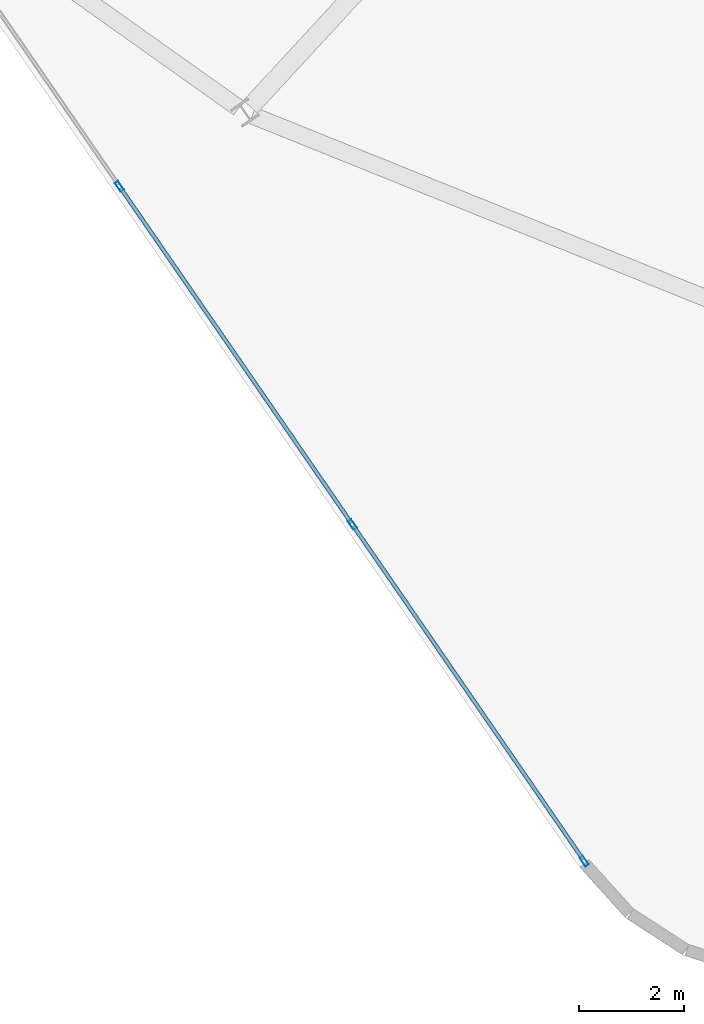
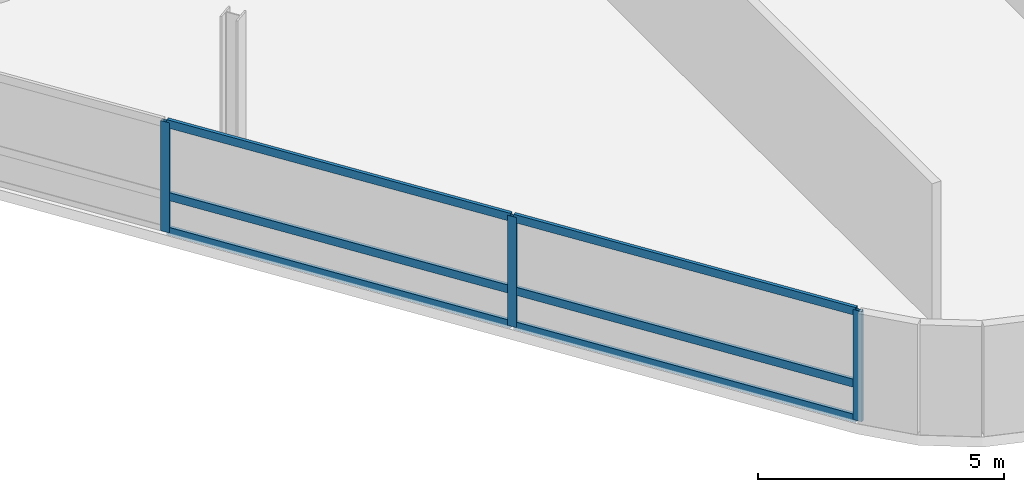
# One storey, part 3 of 21: 9 members, 1 element without a shape of its own.
"""IFC4 building model written with IfcOpenShell, lengths in metres."""

import ifcopenshell
import ifcopenshell.guid

model = None  # the IFC model being written
_history = None  # IfcOwnerHistory: only IFC2X3 demands one
_inside = {}  # id of a spatial element -> (the spatial element, [elements in it])
_under = {}  # id of a project, library or spatial element -> (it, [spatial elements below it])
_declared = {}  # id of a project -> (the project, [libraries it declares])
_typed = {}  # id of a type object -> (the type object, [elements of that type])
_made_of = {}  # id of a material, layer set ... -> (it, [elements and type objects made of it])


def new_model(schema):
    """Start an empty IFC model of exactly this schema.

    Asked for "IFC4X3", IfcOpenShell would pick the latest addendum, in which some entities
    have other attributes; the version numbers below select the first issue.
    IFC2X3 requires an IfcOwnerHistory on every rooted entity: one is made here for all.
    """
    global model, _history
    if schema == "IFC4X3":
        model = ifcopenshell.file(schema_version=(4, 3, 0, 0))
    else:
        model = ifcopenshell.file(schema=schema)
    _inside.clear()
    _under.clear()
    _declared.clear()
    _typed.clear()
    _made_of.clear()
    _history = None
    if model.schema == "IFC2X3":
        org = make("IfcOrganization", Name="unknown")
        user = make(
            "IfcPersonAndOrganization",
            ThePerson=make("IfcPerson", FamilyName="unknown"),
            TheOrganization=org,
        )
        app = make(
            "IfcApplication",
            ApplicationDeveloper=org,
            Version="unknown",
            ApplicationFullName="unknown",
            ApplicationIdentifier="unknown",
        )
        _history = make(
            "IfcOwnerHistory",
            OwningUser=user,
            OwningApplication=app,
            ChangeAction="ADDED",
            CreationDate=0,
        )
    return model


def make(cls, **values):
    """One entity of the class cls with the attributes given. An attribute that is None is left unset."""
    return model.create_entity(
        cls, **{name: value for name, value in values.items() if value is not None}
    )


def rooted(cls, **values):
    """An entity with a GlobalId (a new one), such as an element, a storey or a relation."""
    return make(cls, GlobalId=ifcopenshell.guid.new(), OwnerHistory=_history, **values)


def si_unit(unit_type, name, prefix=None):
    """IfcSIUnit, for example si_unit("LENGTHUNIT", "METRE", prefix="MILLI")."""
    return make("IfcSIUnit", UnitType=unit_type, Prefix=prefix, Name=name)


def assignment(units):
    """IfcUnitAssignment: the units of a project."""
    return None if units is None else make("IfcUnitAssignment", Units=units)


def point(xyz):
    """IfcCartesianPoint."""
    return None if xyz is None else make("IfcCartesianPoint", Coordinates=xyz)


def direction(xyz):
    """IfcDirection."""
    return None if xyz is None else make("IfcDirection", DirectionRatios=xyz)


def frame(location, z_axis=None, x_axis=None):
    """IfcAxis2Placement3D, a coordinate frame: its origin and axes. An axis left out is left unset."""
    return make(
        "IfcAxis2Placement3D",
        Location=point(location),
        Axis=direction(z_axis),
        RefDirection=direction(x_axis),
    )


def frame_2d(location, x_axis=None):
    """IfcAxis2Placement2D, a coordinate frame in the plane: its origin and x axis."""
    return make(
        "IfcAxis2Placement2D", Location=point(location), RefDirection=direction(x_axis)
    )


def origin():
    """The frame at (0, 0, 0) with its axes left unset."""
    return frame((0.0, 0.0, 0.0))


def origin_2d():
    """The frame at (0, 0) in the plane with its x axis left unset."""
    return frame_2d((0.0, 0.0))


def place(relative_to, where):
    """IfcLocalPlacement: puts the frame where relative to a parent placement (None: the world)."""
    return make(
        "IfcLocalPlacement", PlacementRelTo=relative_to, RelativePlacement=where
    )


def context(
    kind, dimensions, precision=None, world=None, true_north=None, identifier=None
):
    """IfcGeometricRepresentationContext, for example the 3D "Model" context."""
    return make(
        "IfcGeometricRepresentationContext",
        ContextIdentifier=identifier,
        ContextType=kind,
        CoordinateSpaceDimension=dimensions,
        Precision=precision,
        WorldCoordinateSystem=world,
        TrueNorth=true_north,
    )


def subcontext(parent, identifier, kind, view, scale=None):
    """IfcGeometricRepresentationSubContext, for example "Body" below "Model"."""
    return make(
        "IfcGeometricRepresentationSubContext",
        ContextIdentifier=identifier,
        ContextType=kind,
        ParentContext=parent,
        TargetScale=scale,
        TargetView=view,
    )


def project(units=None, contexts=None):
    """IfcProject with its units and contexts."""
    return rooted(
        "IfcProject",
        Name="project",
        RepresentationContexts=contexts,
        UnitsInContext=assignment(units),
    )


def spatial(cls, under=None, at=None, **own):
    """A site, building, storey or space (cls), placed at a placement, below another one or the project."""
    s = rooted(cls, ObjectPlacement=at, **own)
    if under is not None:
        _under.setdefault(under.id(), (under, []))[1].append(s)
    return s


def profile(cls, at=None, kind="AREA", **sizes):
    """A parametric profile (cls). Its sizes go by their IFC names, for example OverallWidth=200.0."""
    return make(cls, ProfileType=kind, Position=at, **sizes)


def hollow_rectangle(**sizes):
    """IfcRectangleHollowProfileDef."""
    return profile("IfcRectangleHollowProfileDef", **sizes)


def extrude(swept, where, along, depth):
    """IfcExtrudedAreaSolid: the profile swept, set in the frame where, extruded along a direction by depth."""
    return make(
        "IfcExtrudedAreaSolid",
        SweptArea=swept,
        Position=where,
        ExtrudedDirection=direction(along),
        Depth=depth,
    )


def shape(context_of_items, identifier, shape_type, items):
    """IfcShapeRepresentation: the items that make up one representation, for example the "Body"."""
    return make(
        "IfcShapeRepresentation",
        ContextOfItems=context_of_items,
        RepresentationIdentifier=identifier,
        RepresentationType=shape_type,
        Items=items,
    )


def material(Name=None, Category=None):
    """IfcMaterial."""
    return make("IfcMaterial", Name=Name, Category=Category)


def layer(
    of_material, thickness, ventilated=None, Name=None, Category=None, Priority=None
):
    """IfcMaterialLayer: one layer of a wall or slab, of a material (None: an air gap)."""
    return make(
        "IfcMaterialLayer",
        Material=of_material,
        LayerThickness=thickness,
        IsVentilated=ventilated,
        Name=Name,
        Category=Category,
        Priority=Priority,
    )


def layer_set(layers, Name=None):
    """IfcMaterialLayerSet."""
    return make("IfcMaterialLayerSet", MaterialLayers=layers, LayerSetName=Name)


def material_profile(
    of_material, cross_section, Name=None, Category=None, Priority=None
):
    """IfcMaterialProfile: a cross section and its material."""
    return make(
        "IfcMaterialProfile",
        Name=Name,
        Material=of_material,
        Profile=cross_section,
        Priority=Priority,
        Category=Category,
    )


def profile_set(profiles, Name=None, composite=None):
    """IfcMaterialProfileSet."""
    return make(
        "IfcMaterialProfileSet",
        Name=Name,
        MaterialProfiles=profiles,
        CompositeProfile=composite,
    )


def made_of(thing, what):
    """Note that an element or type object is made of a material, layer set ...; save() writes the relation."""
    if what is not None:
        _made_of.setdefault(what.id(), (what, []))[1].append(thing)
    return thing


def type_object(cls, material=None, **own):
    """A type object (cls), such as IfcWallType, which elements share."""
    return made_of(rooted(cls, **own), material)


def element(
    cls,
    number,
    at=None,
    inside=None,
    cuts=None,
    type_object=None,
    material=None,
    context=None,
    identifier="Body",
    shape_type=None,
    held_by="IfcProductDefinitionShape",
    body=None,
    shapes=None,
    **own,
):
    """One element of the class cls, such as IfcWall. Its Tag is "e" and its number.

    at: its placement. inside: the storey or other place that contains it. cuts: it is an
    opening in that element (IfcRelVoidsElement). A single representation is given by context,
    identifier, shape_type and body (its items); several are given by shapes. held_by: the class
    of the entity that holds the representations. save() writes the other relations.
    """
    e = rooted(cls, Tag="e%d" % number, ObjectPlacement=at, **own)
    if body is not None:
        shapes = [shape(context, identifier, shape_type, body)]
    if shapes is not None:
        e.Representation = make(held_by, Representations=shapes)
    if inside is not None:
        _inside.setdefault(inside.id(), (inside, []))[1].append(e)
    if cuts is not None:
        rooted(
            "IfcRelVoidsElement", RelatingBuildingElement=cuts, RelatedOpeningElement=e
        )
    if type_object is not None:
        _typed.setdefault(type_object.id(), (type_object, []))[1].append(e)
    return made_of(e, material)


def aggregate(whole, parts):
    """IfcRelAggregates: a whole, such as a stair, and the parts it consists of."""
    return rooted("IfcRelAggregates", RelatingObject=whole, RelatedObjects=parts)


def save(model, path):
    """Write the relations noted so far, then the file.

    IfcRelAggregates (storeys below a building ...), IfcRelContainedInSpatialStructure (elements
    in a storey), IfcRelDefinesByType, IfcRelAssociatesMaterial and IfcRelDeclares: one each for
    every whole, place, type object, material and project.
    """
    for whole, parts in _under.values():
        aggregate(whole, parts)
    for where, things in _inside.values():
        rooted(
            "IfcRelContainedInSpatialStructure",
            RelatedElements=things,
            RelatingStructure=where,
        )
    for kind, things in _typed.values():
        rooted("IfcRelDefinesByType", RelatedObjects=things, RelatingType=kind)
    for what, things in _made_of.values():
        rooted("IfcRelAssociatesMaterial", RelatedObjects=things, RelatingMaterial=what)
    for by, libraries in _declared.values():
        rooted("IfcRelDeclares", RelatingContext=by, RelatedDefinitions=libraries)
    model.write(path)


model = new_model("IFC4")

# Units and contexts
model_context = context("Model", 3, precision=1e-05, world=origin(), true_north=direction((0.0, 1.0)))
body_context = subcontext(model_context, "Body", "Model", "MODEL_VIEW")
ifc_project = project(units=[si_unit("LENGTHUNIT", "METRE"), si_unit("AREAUNIT", "SQUARE_METRE"), si_unit("VOLUMEUNIT", "CUBIC_METRE"), si_unit("PLANEANGLEUNIT", "RADIAN"), si_unit("MASSUNIT", "GRAM", prefix="KILO")], contexts=[model_context])

# Site, building, storey
site_placement = place(None, origin())
site = spatial("IfcSite", under=ifc_project, at=site_placement, CompositionType="ELEMENT")
building_placement = place(site_placement, origin())
building = spatial("IfcBuilding", under=site, at=building_placement, Name="Varnelok Gate Tower", CompositionType="ELEMENT")
storey_placement = place(building_placement, frame((0.0, 0.0, 261.89990234375)))
storey = spatial("IfcBuildingStorey", under=building, at=storey_placement, Name="L67", CompositionType="ELEMENT", Elevation=261.89990234375)

# Curtain wall, members
ifc_material = material(Name="Anodized Aluminum Alloy 6063-T6", Category="aluminium")
ifc_layer = layer(ifc_material, 0.179931640625)
ifc_layer_set = layer_set([ifc_layer], Name="Anodized Aluminum Alloy 6063-T6")
curtain_wall_type = type_object("IfcCurtainWallType", Name="CW4-RESIDENCE-VISION", PredefinedType="USERDEFINED", material=ifc_layer_set)
curtain_wall_placement = place(storey_placement, origin())
curtain_wall = element("IfcCurtainWall", 1, at=curtain_wall_placement, inside=storey, type_object=curtain_wall_type, Name="L67 West End Vision Curtain Wall", ObjectType="UNITISED CURTAIN WALL", PredefinedType="USERDEFINED")
ifc_material_profile_1 = material_profile(ifc_material, hollow_rectangle(XDim=0.074951171875, YDim=0.199951171875, WallThickness=0.00390625, at=origin_2d()), Name="ALU200X75X4")
ifc_profile_set_1 = profile_set([ifc_material_profile_1], Name="Anodized Aluminum Alloy 6063-T6")
member_type_1 = type_object("IfcMemberType", Name="CW-MULL-200", PredefinedType="MULLION", material=ifc_profile_set_1)
member_1_placement = place(storey_placement, frame((20.884521484375, -6.21337890625, 0.0), z_axis=(0.0, 0.0, 1.0), x_axis=(-0.823532290241, -0.567269395376, 0.0)))
member_1 = element("IfcMember", 2, at=member_1_placement, type_object=member_type_1, Name="CW4 mullion 1", PredefinedType="MULLION", context=body_context, shape_type="SweptSolid", body=[
    extrude(hollow_rectangle(XDim=0.074951171875, YDim=0.199951171875, WallThickness=0.00390625, at=origin_2d()), origin(), (0.0, 0.0, 1.0), 2.72998046875),
])
member_2_placement = place(storey_placement, frame((16.481201171875, 0.17919921875, 0.0), z_axis=(0.0, 0.0, 1.0), x_axis=(-0.823532290241, -0.567269395376, 0.0)))
member_2 = element("IfcMember", 3, at=member_2_placement, type_object=member_type_1, Name="CW4 mullion 2", PredefinedType="MULLION", context=body_context, shape_type="SweptSolid", body=[
    extrude(hollow_rectangle(XDim=0.074951171875, YDim=0.199951171875, WallThickness=0.00390625, at=origin_2d()), origin(), (0.0, 0.0, 1.0), 2.72998046875),
])
member_3_placement = place(storey_placement, frame((12.056396484375, 6.602783203125, 0.0), z_axis=(0.0, 0.0, 1.0), x_axis=(-0.823532290241, -0.567269395376, 0.0)))
member_3 = element("IfcMember", 4, at=member_3_placement, type_object=member_type_1, Name="CW4 mullion 3", PredefinedType="MULLION", context=body_context, shape_type="SweptSolid", body=[
    extrude(hollow_rectangle(XDim=0.074951171875, YDim=0.199951171875, WallThickness=0.00390625, at=origin_2d()), origin(), (0.0, 0.0, 1.0), 2.72998046875),
])
ifc_material_profile_2 = material_profile(ifc_material, hollow_rectangle(XDim=0.074951171875, YDim=0.199951171875, WallThickness=0.00390625, at=origin_2d()), Name="ALU200X75X4")
ifc_profile_set_2 = profile_set([ifc_material_profile_2], Name="Anodized Aluminum Alloy 6063-T6")
member_type_2 = type_object("IfcMemberType", Name="CW-TRAN-200", PredefinedType="USERDEFINED", material=ifc_profile_set_2)
member_4_placement = place(storey_placement, frame((20.86328125, -6.1826171875, 0.03759765625), z_axis=(-0.567256418128, 0.82354122914, 0.0), x_axis=(-0.82354122914, -0.567256418128, 0.0)))
member_4 = element("IfcMember", 5, at=member_4_placement, type_object=member_type_2, Name="CW4 transom 1.1", ObjectType="TRANSOM", PredefinedType="USERDEFINED", context=body_context, shape_type="SweptSolid", body=[
    extrude(hollow_rectangle(XDim=0.074951171875, YDim=0.199951171875, WallThickness=0.00390625, at=origin_2d()), origin(), (0.0, 0.0, 1.0), 7.6875),
])
member_5_placement = place(storey_placement, frame((20.86328125, -6.1826171875, 0.900146484375), z_axis=(-0.567256418128, 0.82354122914, 0.0), x_axis=(-0.82354122914, -0.567256418128, 0.0)))
member_5 = element("IfcMember", 6, at=member_5_placement, type_object=member_type_2, Name="CW4 transom 1.2", ObjectType="TRANSOM", PredefinedType="USERDEFINED", context=body_context, shape_type="SweptSolid", body=[
    extrude(hollow_rectangle(XDim=0.074951171875, YDim=0.199951171875, WallThickness=0.00390625, at=origin_2d()), origin(), (0.0, 0.0, 1.0), 7.6875),
])
member_6_placement = place(storey_placement, frame((20.86328125, -6.1826171875, 2.692626953125), z_axis=(-0.567256418128, 0.82354122914, 0.0), x_axis=(-0.82354122914, -0.567256418128, 0.0)))
member_6 = element("IfcMember", 7, at=member_6_placement, type_object=member_type_2, Name="CW4 transom 1.3", ObjectType="TRANSOM", PredefinedType="USERDEFINED", context=body_context, shape_type="SweptSolid", body=[
    extrude(hollow_rectangle(XDim=0.074951171875, YDim=0.199951171875, WallThickness=0.00390625, at=origin_2d()), origin(), (0.0, 0.0, 1.0), 7.6875),
])
member_7_placement = place(storey_placement, frame((16.459716796875, 0.210205078125, 0.03759765625), z_axis=(-0.567260941086, 0.823538113701, 0.0), x_axis=(-0.823538113701, -0.567260941086, 0.0)))
member_7 = element("IfcMember", 8, at=member_7_placement, type_object=member_type_2, Name="CW4 transom 2.1", ObjectType="TRANSOM", PredefinedType="USERDEFINED", context=body_context, shape_type="SweptSolid", body=[
    extrude(hollow_rectangle(XDim=0.074951171875, YDim=0.199951171875, WallThickness=0.00390625, at=origin_2d()), origin(), (0.0, 0.0, 1.0), 7.72509765625),
])
member_8_placement = place(storey_placement, frame((16.459716796875, 0.210205078125, 0.900146484375), z_axis=(-0.567260941086, 0.823538113701, 0.0), x_axis=(-0.823538113701, -0.567260941086, 0.0)))
member_8 = element("IfcMember", 9, at=member_8_placement, type_object=member_type_2, Name="CW4 transom 2.2", ObjectType="TRANSOM", PredefinedType="USERDEFINED", context=body_context, shape_type="SweptSolid", body=[
    extrude(hollow_rectangle(XDim=0.074951171875, YDim=0.199951171875, WallThickness=0.00390625, at=origin_2d()), origin(), (0.0, 0.0, 1.0), 7.72509765625),
])
member_9_placement = place(storey_placement, frame((16.459716796875, 0.210205078125, 2.692626953125), z_axis=(-0.567260941086, 0.823538113701, 0.0), x_axis=(-0.823538113701, -0.567260941086, 0.0)))
member_9 = element("IfcMember", 10, at=member_9_placement, type_object=member_type_2, Name="CW4 transom 2.3", ObjectType="TRANSOM", PredefinedType="USERDEFINED", context=body_context, shape_type="SweptSolid", body=[
    extrude(hollow_rectangle(XDim=0.074951171875, YDim=0.199951171875, WallThickness=0.00390625, at=origin_2d()), origin(), (0.0, 0.0, 1.0), 7.72509765625),
])
aggregate(curtain_wall, [member_1, member_2, member_3, member_4, member_5, member_6, member_7, member_8, member_9])

save(model, "model.ifc")
